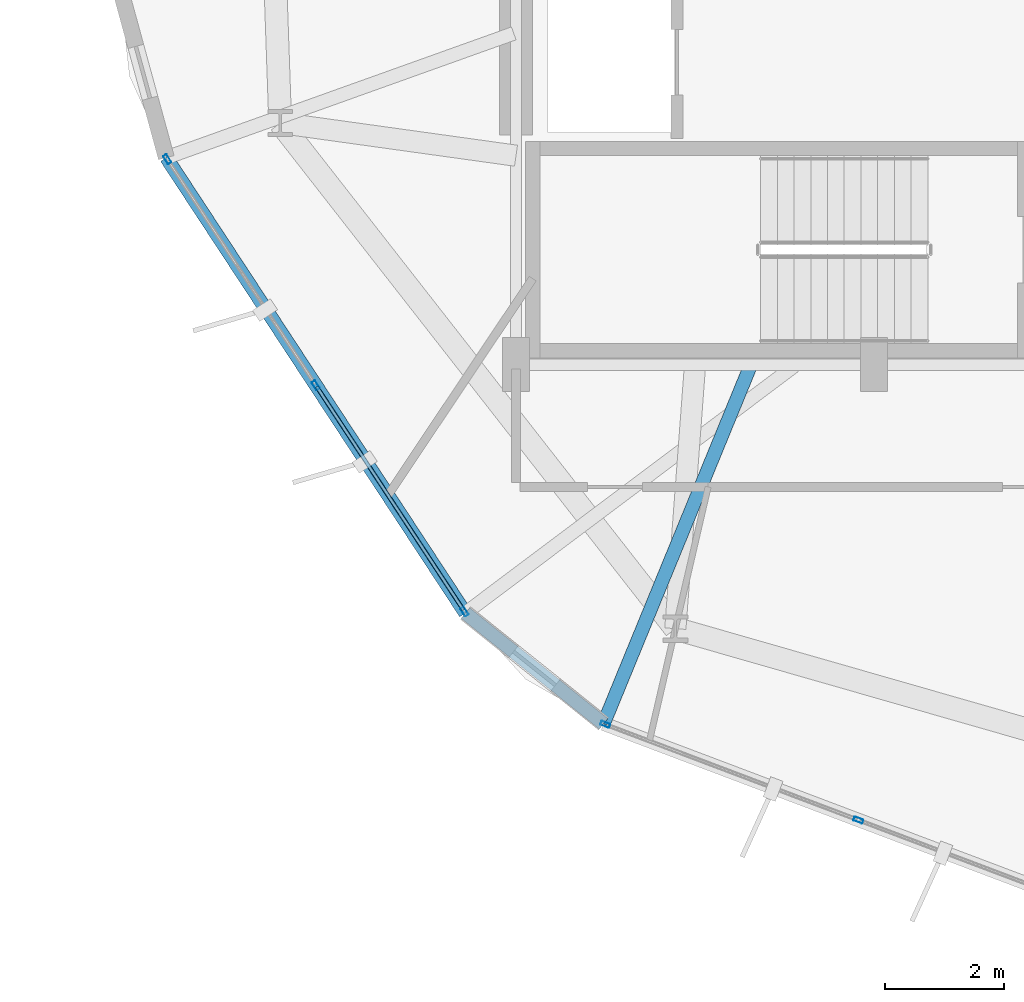
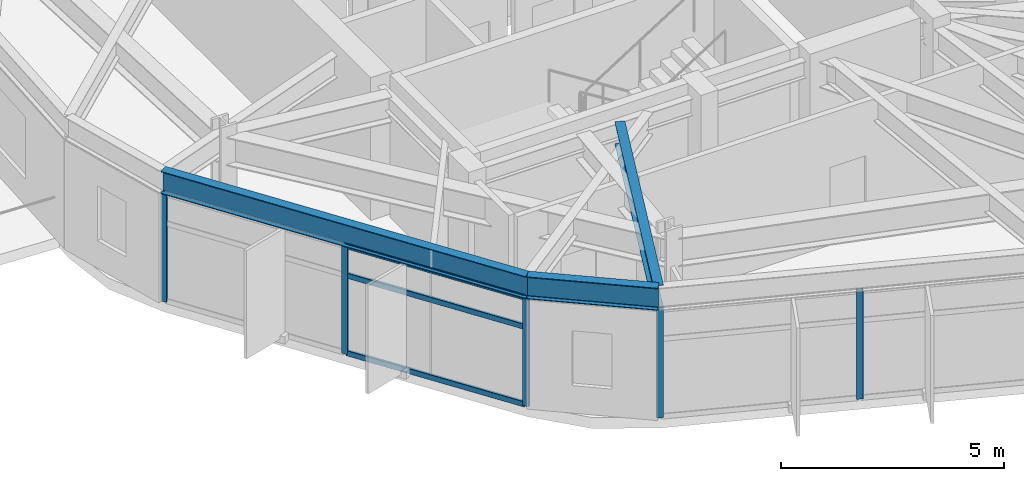
# One storey, part 2 of 25: 8 members, 3 beams, 2 elements without a shape of their own.
"""IFC4 building model written with IfcOpenShell, lengths in metres."""

import ifcopenshell
import ifcopenshell.guid

model = None  # the IFC model being written
_history = None  # IfcOwnerHistory: only IFC2X3 demands one
_inside = {}  # id of a spatial element -> (the spatial element, [elements in it])
_under = {}  # id of a project, library or spatial element -> (it, [spatial elements below it])
_declared = {}  # id of a project -> (the project, [libraries it declares])
_typed = {}  # id of a type object -> (the type object, [elements of that type])
_made_of = {}  # id of a material, layer set ... -> (it, [elements and type objects made of it])


def new_model(schema):
    """Start an empty IFC model of exactly this schema.

    Asked for "IFC4X3", IfcOpenShell would pick the latest addendum, in which some entities
    have other attributes; the version numbers below select the first issue.
    IFC2X3 requires an IfcOwnerHistory on every rooted entity: one is made here for all.
    """
    global model, _history
    if schema == "IFC4X3":
        model = ifcopenshell.file(schema_version=(4, 3, 0, 0))
    else:
        model = ifcopenshell.file(schema=schema)
    _inside.clear()
    _under.clear()
    _declared.clear()
    _typed.clear()
    _made_of.clear()
    _history = None
    if model.schema == "IFC2X3":
        org = make("IfcOrganization", Name="unknown")
        user = make(
            "IfcPersonAndOrganization",
            ThePerson=make("IfcPerson", FamilyName="unknown"),
            TheOrganization=org,
        )
        app = make(
            "IfcApplication",
            ApplicationDeveloper=org,
            Version="unknown",
            ApplicationFullName="unknown",
            ApplicationIdentifier="unknown",
        )
        _history = make(
            "IfcOwnerHistory",
            OwningUser=user,
            OwningApplication=app,
            ChangeAction="ADDED",
            CreationDate=0,
        )
    return model


def make(cls, **values):
    """One entity of the class cls with the attributes given. An attribute that is None is left unset."""
    return model.create_entity(
        cls, **{name: value for name, value in values.items() if value is not None}
    )


def rooted(cls, **values):
    """An entity with a GlobalId (a new one), such as an element, a storey or a relation."""
    return make(cls, GlobalId=ifcopenshell.guid.new(), OwnerHistory=_history, **values)


def si_unit(unit_type, name, prefix=None):
    """IfcSIUnit, for example si_unit("LENGTHUNIT", "METRE", prefix="MILLI")."""
    return make("IfcSIUnit", UnitType=unit_type, Prefix=prefix, Name=name)


def assignment(units):
    """IfcUnitAssignment: the units of a project."""
    return None if units is None else make("IfcUnitAssignment", Units=units)


def point(xyz):
    """IfcCartesianPoint."""
    return None if xyz is None else make("IfcCartesianPoint", Coordinates=xyz)


def direction(xyz):
    """IfcDirection."""
    return None if xyz is None else make("IfcDirection", DirectionRatios=xyz)


def frame(location, z_axis=None, x_axis=None):
    """IfcAxis2Placement3D, a coordinate frame: its origin and axes. An axis left out is left unset."""
    return make(
        "IfcAxis2Placement3D",
        Location=point(location),
        Axis=direction(z_axis),
        RefDirection=direction(x_axis),
    )


def frame_2d(location, x_axis=None):
    """IfcAxis2Placement2D, a coordinate frame in the plane: its origin and x axis."""
    return make(
        "IfcAxis2Placement2D", Location=point(location), RefDirection=direction(x_axis)
    )


def origin():
    """The frame at (0, 0, 0) with its axes left unset."""
    return frame((0.0, 0.0, 0.0))


def origin_2d():
    """The frame at (0, 0) in the plane with its x axis left unset."""
    return frame_2d((0.0, 0.0))


def place(relative_to, where):
    """IfcLocalPlacement: puts the frame where relative to a parent placement (None: the world)."""
    return make(
        "IfcLocalPlacement", PlacementRelTo=relative_to, RelativePlacement=where
    )


def context(
    kind, dimensions, precision=None, world=None, true_north=None, identifier=None
):
    """IfcGeometricRepresentationContext, for example the 3D "Model" context."""
    return make(
        "IfcGeometricRepresentationContext",
        ContextIdentifier=identifier,
        ContextType=kind,
        CoordinateSpaceDimension=dimensions,
        Precision=precision,
        WorldCoordinateSystem=world,
        TrueNorth=true_north,
    )


def subcontext(parent, identifier, kind, view, scale=None):
    """IfcGeometricRepresentationSubContext, for example "Body" below "Model"."""
    return make(
        "IfcGeometricRepresentationSubContext",
        ContextIdentifier=identifier,
        ContextType=kind,
        ParentContext=parent,
        TargetScale=scale,
        TargetView=view,
    )


def project(units=None, contexts=None):
    """IfcProject with its units and contexts."""
    return rooted(
        "IfcProject",
        Name="project",
        RepresentationContexts=contexts,
        UnitsInContext=assignment(units),
    )


def spatial(cls, under=None, at=None, **own):
    """A site, building, storey or space (cls), placed at a placement, below another one or the project."""
    s = rooted(cls, ObjectPlacement=at, **own)
    if under is not None:
        _under.setdefault(under.id(), (under, []))[1].append(s)
    return s


def profile(cls, at=None, kind="AREA", **sizes):
    """A parametric profile (cls). Its sizes go by their IFC names, for example OverallWidth=200.0."""
    return make(cls, ProfileType=kind, Position=at, **sizes)


def hollow_rectangle(**sizes):
    """IfcRectangleHollowProfileDef."""
    return profile("IfcRectangleHollowProfileDef", **sizes)


def i_section(**sizes):
    """IfcIShapeProfileDef."""
    return profile("IfcIShapeProfileDef", **sizes)


def extrude(swept, where, along, depth):
    """IfcExtrudedAreaSolid: the profile swept, set in the frame where, extruded along a direction by depth."""
    return make(
        "IfcExtrudedAreaSolid",
        SweptArea=swept,
        Position=where,
        ExtrudedDirection=direction(along),
        Depth=depth,
    )


def shape(context_of_items, identifier, shape_type, items):
    """IfcShapeRepresentation: the items that make up one representation, for example the "Body"."""
    return make(
        "IfcShapeRepresentation",
        ContextOfItems=context_of_items,
        RepresentationIdentifier=identifier,
        RepresentationType=shape_type,
        Items=items,
    )


def material(Name=None, Category=None):
    """IfcMaterial."""
    return make("IfcMaterial", Name=Name, Category=Category)


def layer(
    of_material, thickness, ventilated=None, Name=None, Category=None, Priority=None
):
    """IfcMaterialLayer: one layer of a wall or slab, of a material (None: an air gap)."""
    return make(
        "IfcMaterialLayer",
        Material=of_material,
        LayerThickness=thickness,
        IsVentilated=ventilated,
        Name=Name,
        Category=Category,
        Priority=Priority,
    )


def layer_set(layers, Name=None):
    """IfcMaterialLayerSet."""
    return make("IfcMaterialLayerSet", MaterialLayers=layers, LayerSetName=Name)


def material_profile(
    of_material, cross_section, Name=None, Category=None, Priority=None
):
    """IfcMaterialProfile: a cross section and its material."""
    return make(
        "IfcMaterialProfile",
        Name=Name,
        Material=of_material,
        Profile=cross_section,
        Priority=Priority,
        Category=Category,
    )


def profile_set(profiles, Name=None, composite=None):
    """IfcMaterialProfileSet."""
    return make(
        "IfcMaterialProfileSet",
        Name=Name,
        MaterialProfiles=profiles,
        CompositeProfile=composite,
    )


def made_of(thing, what):
    """Note that an element or type object is made of a material, layer set ...; save() writes the relation."""
    if what is not None:
        _made_of.setdefault(what.id(), (what, []))[1].append(thing)
    return thing


def type_object(cls, material=None, **own):
    """A type object (cls), such as IfcWallType, which elements share."""
    return made_of(rooted(cls, **own), material)


def element(
    cls,
    number,
    at=None,
    inside=None,
    cuts=None,
    type_object=None,
    material=None,
    context=None,
    identifier="Body",
    shape_type=None,
    held_by="IfcProductDefinitionShape",
    body=None,
    shapes=None,
    **own,
):
    """One element of the class cls, such as IfcWall. Its Tag is "e" and its number.

    at: its placement. inside: the storey or other place that contains it. cuts: it is an
    opening in that element (IfcRelVoidsElement). A single representation is given by context,
    identifier, shape_type and body (its items); several are given by shapes. held_by: the class
    of the entity that holds the representations. save() writes the other relations.
    """
    e = rooted(cls, Tag="e%d" % number, ObjectPlacement=at, **own)
    if body is not None:
        shapes = [shape(context, identifier, shape_type, body)]
    if shapes is not None:
        e.Representation = make(held_by, Representations=shapes)
    if inside is not None:
        _inside.setdefault(inside.id(), (inside, []))[1].append(e)
    if cuts is not None:
        rooted(
            "IfcRelVoidsElement", RelatingBuildingElement=cuts, RelatedOpeningElement=e
        )
    if type_object is not None:
        _typed.setdefault(type_object.id(), (type_object, []))[1].append(e)
    return made_of(e, material)


def aggregate(whole, parts):
    """IfcRelAggregates: a whole, such as a stair, and the parts it consists of."""
    return rooted("IfcRelAggregates", RelatingObject=whole, RelatedObjects=parts)


def save(model, path):
    """Write the relations noted so far, then the file.

    IfcRelAggregates (storeys below a building ...), IfcRelContainedInSpatialStructure (elements
    in a storey), IfcRelDefinesByType, IfcRelAssociatesMaterial and IfcRelDeclares: one each for
    every whole, place, type object, material and project.
    """
    for whole, parts in _under.values():
        aggregate(whole, parts)
    for where, things in _inside.values():
        rooted(
            "IfcRelContainedInSpatialStructure",
            RelatedElements=things,
            RelatingStructure=where,
        )
    for kind, things in _typed.values():
        rooted("IfcRelDefinesByType", RelatedObjects=things, RelatingType=kind)
    for what, things in _made_of.values():
        rooted("IfcRelAssociatesMaterial", RelatedObjects=things, RelatingMaterial=what)
    for by, libraries in _declared.values():
        rooted("IfcRelDeclares", RelatingContext=by, RelatedDefinitions=libraries)
    model.write(path)


model = new_model("IFC4")

# Units and contexts
model_context = context("Model", 3, precision=1e-05, world=origin(), true_north=direction((0.0, 1.0)))
body_context = subcontext(model_context, "Body", "Model", "MODEL_VIEW")
ifc_project = project(units=[si_unit("LENGTHUNIT", "METRE"), si_unit("AREAUNIT", "SQUARE_METRE"), si_unit("VOLUMEUNIT", "CUBIC_METRE"), si_unit("PLANEANGLEUNIT", "RADIAN"), si_unit("MASSUNIT", "GRAM", prefix="KILO")], contexts=[model_context])

# Site, building, storey
site_placement = place(None, origin())
site = spatial("IfcSite", under=ifc_project, at=site_placement, CompositionType="ELEMENT")
building_placement = place(site_placement, origin())
building = spatial("IfcBuilding", under=site, at=building_placement, Name="Soratama Intermodal Tower", CompositionType="ELEMENT")
storey_placement = place(building_placement, frame((0.0, 0.0, 87.39990234375)))
storey = spatial("IfcBuildingStorey", under=building, at=storey_placement, Name="L20", CompositionType="ELEMENT", Elevation=87.39990234375)

# Beams
ifc_material_1 = material(Name="Structural steel ASTM A992 Grade 50", Category="steel")
ifc_material_profile_1 = material_profile(ifc_material_1, i_section(OverallWidth=0.22900390625, OverallDepth=0.612060546875, WebThickness=0.011962890625, FlangeThickness=0.01953125, FilletRadius=0.012939453125, at=origin_2d()), Name="W24X84")
ifc_profile_set_1 = profile_set([ifc_material_profile_1], Name="Structural steel ASTM A992 Grade 50")
beam_type_1 = type_object("IfcBeamType", Name="BM-SPN-W24X84", PredefinedType="SPANDREL", material=ifc_profile_set_1)
beam_1_placement = place(storey_placement, frame((26.739990234375, 18.467041015625, 3.294189453125), z_axis=(0.548966563149, -0.835844311187, 0.0), x_axis=(0.835844311187, 0.548966563149, 0.0)))
element("IfcBeam", 1, at=beam_1_placement, inside=storey, type_object=beam_type_1, Name="BS-L20-F06", PredefinedType="SPANDREL", context=body_context, shape_type="SweptSolid", body=[
    extrude(i_section(OverallWidth=0.22900390625, OverallDepth=0.612060546875, WebThickness=0.011962890625, FlangeThickness=0.01953125, FilletRadius=0.012939453125, at=origin_2d()), origin(), (0.0, 0.0, 1.0), 9.1298828125),
])
beam_2_placement = place(storey_placement, frame((31.751953125, 10.8359375, 3.294189453125), z_axis=(0.780370745498, -0.625317119205, 0.0), x_axis=(0.625317119205, 0.780370745498, 0.0)))
element("IfcBeam", 2, at=beam_2_placement, inside=storey, type_object=beam_type_1, Name="BS-L20-CRN06", PredefinedType="SPANDREL", context=body_context, shape_type="SweptSolid", body=[
    extrude(i_section(OverallWidth=0.22900390625, OverallDepth=0.612060546875, WebThickness=0.011962890625, FlangeThickness=0.01953125, FilletRadius=0.012939453125, at=origin_2d()), origin(), (0.0, 0.0, 1.0), 2.966552734375),
])
ifc_material_2 = material(Name="Structural steel ASTM A992 Grade 50", Category="steel")
ifc_material_profile_2 = material_profile(ifc_material_2, i_section(OverallWidth=0.22900390625, OverallDepth=0.612060546875, WebThickness=0.011962890625, FlangeThickness=0.01953125, FilletRadius=0.012939453125, at=origin_2d()), Name="W24X84")
ifc_profile_set_2 = profile_set([ifc_material_profile_2], Name="Structural steel ASTM A992 Grade 50")
beam_type_2 = type_object("IfcBeamType", Name="BM-TIE-W24X84", PredefinedType="BEAM", material=ifc_profile_set_2)
beam_3_placement = place(storey_placement, frame((36.52197265625, 14.962890625, 3.294189453125), z_axis=(-0.37968230787, -0.925116935901, 0.0), x_axis=(0.925116935901, -0.37968230787, 0.0)))
element("IfcBeam", 3, at=beam_3_placement, inside=storey, type_object=beam_type_2, Name="BM-L20-TIE0-07", PredefinedType="BEAM", context=body_context, shape_type="SweptSolid", body=[
    extrude(i_section(OverallWidth=0.22900390625, OverallDepth=0.612060546875, WebThickness=0.011962890625, FlangeThickness=0.01953125, FilletRadius=0.012939453125, at=origin_2d()), origin(), (0.0, 0.0, 1.0), 6.466064453125),
])

# Curtain wall, members
ifc_material_3 = material(Name="Double-glazed aluminium curtain wall", Category="aluminium")
ifc_layer = layer(ifc_material_3, 0.159912109375)
ifc_layer_set = layer_set([ifc_layer], Name="Double-glazed aluminium curtain wall")
curtain_wall_type = type_object("IfcCurtainWallType", Name="CW-SYS-3", PredefinedType="NOTDEFINED", material=ifc_layer_set)
curtain_wall_1_placement = place(storey_placement, origin())
curtain_wall_1 = element("IfcCurtainWall", 4, at=curtain_wall_1_placement, inside=storey, type_object=curtain_wall_type, Name="L20 Faceted Curtain Wall F06", PredefinedType="NOTDEFINED")
ifc_material_4 = material(Name="Anodised aluminium AA 6063-T6", Category="aluminium")
ifc_material_profile_3 = material_profile(ifc_material_4, hollow_rectangle(XDim=0.070068359375, YDim=0.159912109375, WallThickness=0.0048828125, InnerFilletRadius=0.0048828125, OuterFilletRadius=0.010009765625, at=origin_2d()), Name="CWM160X70X5")
ifc_profile_set_3 = profile_set([ifc_material_profile_3], Name="Anodised aluminium AA 6063-T6")
member_type_1 = type_object("IfcMemberType", Name="MT-CWM-3", PredefinedType="MULLION", material=ifc_profile_set_3)
member_1_placement = place(storey_placement, frame((26.75634765625, 18.441650390625, 0.0), z_axis=(0.0, 0.0, 1.0), x_axis=(0.835807444082, 0.549022692078, 0.0)))
member_1 = element("IfcMember", 5, at=member_1_placement, type_object=member_type_1, Name="CW-3 mullion 1", PredefinedType="MULLION", context=body_context, shape_type="SweptSolid", body=[
    extrude(hollow_rectangle(XDim=0.070068359375, YDim=0.159912109375, WallThickness=0.0048828125, InnerFilletRadius=0.0048828125, OuterFilletRadius=0.010009765625, at=origin_2d()), origin(), (0.0, 0.0, 1.0), 2.97900390625),
])
member_2_placement = place(storey_placement, frame((29.245849609375, 14.651611328125, 0.0), z_axis=(0.0, 0.0, 1.0), x_axis=(0.835807444082, 0.549022692078, 0.0)))
member_2 = element("IfcMember", 6, at=member_2_placement, type_object=member_type_1, Name="CW-3 mullion 2", PredefinedType="MULLION", context=body_context, shape_type="SweptSolid", body=[
    extrude(hollow_rectangle(XDim=0.070068359375, YDim=0.159912109375, WallThickness=0.0048828125, InnerFilletRadius=0.0048828125, OuterFilletRadius=0.010009765625, at=origin_2d()), origin(), (0.0, 0.0, 1.0), 2.97900390625),
])
member_3_placement = place(storey_placement, frame((31.735595703125, 10.861328125, 0.0), z_axis=(0.0, 0.0, 1.0), x_axis=(0.835807444082, 0.549022692078, 0.0)))
member_3 = element("IfcMember", 7, at=member_3_placement, type_object=member_type_1, Name="CW-3 mullion 3", PredefinedType="MULLION", context=body_context, shape_type="SweptSolid", body=[
    extrude(hollow_rectangle(XDim=0.070068359375, YDim=0.159912109375, WallThickness=0.0048828125, InnerFilletRadius=0.0048828125, OuterFilletRadius=0.010009765625, at=origin_2d()), origin(), (0.0, 0.0, 1.0), 2.97900390625),
])

curtain_wall_2_placement = place(storey_placement, origin())
curtain_wall_2 = element("IfcCurtainWall", 8, at=curtain_wall_2_placement, inside=storey, type_object=curtain_wall_type, Name="L20 Faceted Curtain Wall F07", PredefinedType="NOTDEFINED")
member_4_placement = place(storey_placement, frame((34.095458984375, 8.970703125, 0.0), z_axis=(0.0, 0.0, 1.0), x_axis=(0.353467878982, 0.935446662578, 0.0)))
member_4 = element("IfcMember", 9, at=member_4_placement, type_object=member_type_1, Name="CW-3 mullion 1", PredefinedType="MULLION", context=body_context, shape_type="SweptSolid", body=[
    extrude(hollow_rectangle(XDim=0.070068359375, YDim=0.159912109375, WallThickness=0.0048828125, InnerFilletRadius=0.0048828125, OuterFilletRadius=0.010009765625, at=origin_2d()), origin(), (0.0, 0.0, 1.0), 2.97900390625),
])
member_5_placement = place(storey_placement, frame((38.33740234375, 7.367919921875, 0.0), z_axis=(0.0, 0.0, 1.0), x_axis=(0.353467878982, 0.935446662578, 0.0)))
member_5 = element("IfcMember", 10, at=member_5_placement, type_object=member_type_1, Name="CW-3 mullion 2", PredefinedType="MULLION", context=body_context, shape_type="SweptSolid", body=[
    extrude(hollow_rectangle(XDim=0.070068359375, YDim=0.159912109375, WallThickness=0.0048828125, InnerFilletRadius=0.0048828125, OuterFilletRadius=0.010009765625, at=origin_2d()), origin(), (0.0, 0.0, 1.0), 2.97900390625),
])
aggregate(curtain_wall_2, [member_4, member_5])

# Member
ifc_material_5 = material(Name="Anodised aluminium AA 6063-T6", Category="aluminium")
ifc_material_profile_4 = material_profile(ifc_material_5, hollow_rectangle(XDim=0.06494140625, YDim=0.14990234375, WallThickness=0.0048828125, InnerFilletRadius=0.0048828125, OuterFilletRadius=0.010009765625, at=origin_2d()), Name="CWT150X65X5")
ifc_profile_set_4 = profile_set([ifc_material_profile_4], Name="Anodised aluminium AA 6063-T6")
member_type_2 = type_object("IfcMemberType", Name="TT-CWT-1", PredefinedType="USERDEFINED", material=ifc_profile_set_4)
member_6_placement = place(storey_placement, frame((29.262451171875, 14.62646484375, 0.030029296875), z_axis=(0.549034169435, -0.835799904758, 0.0), x_axis=(0.835799904758, 0.549034169435, 0.0)))
member_6 = element("IfcMember", 11, at=member_6_placement, type_object=member_type_2, Name="CW-3 transom 2.1", ObjectType="TRANSOM", PredefinedType="USERDEFINED", context=body_context, shape_type="SweptSolid", body=[
    extrude(hollow_rectangle(XDim=0.06494140625, YDim=0.14990234375, WallThickness=0.0048828125, InnerFilletRadius=0.0048828125, OuterFilletRadius=0.010009765625, at=origin_2d()), origin(), (0.0, 0.0, 1.0), 4.474853515625),
])

member_7_placement = place(storey_placement, frame((29.262451171875, 14.62646484375, 2.150146484375), z_axis=(0.549034169435, -0.835799904758, 0.0), x_axis=(0.835799904758, 0.549034169435, 0.0)))
member_7 = element("IfcMember", 12, at=member_7_placement, type_object=member_type_2, Name="CW-3 transom 2.2", ObjectType="TRANSOM", PredefinedType="USERDEFINED", context=body_context, shape_type="SweptSolid", body=[
    extrude(hollow_rectangle(XDim=0.06494140625, YDim=0.14990234375, WallThickness=0.0048828125, InnerFilletRadius=0.0048828125, OuterFilletRadius=0.010009765625, at=origin_2d()), origin(), (0.0, 0.0, 1.0), 4.474853515625),
])

member_8_placement = place(storey_placement, frame((29.262451171875, 14.62646484375, 2.94921875), z_axis=(0.549034169435, -0.835799904758, 0.0), x_axis=(0.835799904758, 0.549034169435, 0.0)))
member_8 = element("IfcMember", 13, at=member_8_placement, type_object=member_type_2, Name="CW-3 transom 2.3", ObjectType="TRANSOM", PredefinedType="USERDEFINED", context=body_context, shape_type="SweptSolid", body=[
    extrude(hollow_rectangle(XDim=0.06494140625, YDim=0.14990234375, WallThickness=0.0048828125, InnerFilletRadius=0.0048828125, OuterFilletRadius=0.010009765625, at=origin_2d()), origin(), (0.0, 0.0, 1.0), 4.474853515625),
])

aggregate(curtain_wall_1, [member_1, member_2, member_3, member_6, member_7, member_8])

save(model, "model.ifc")
